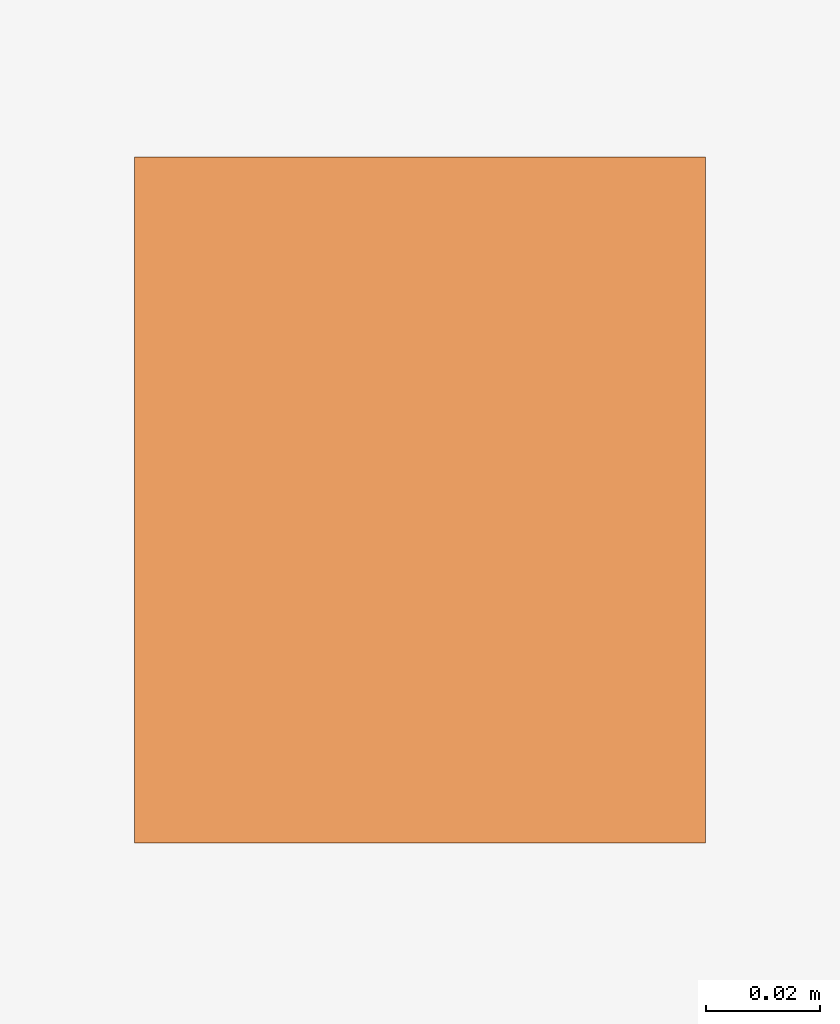
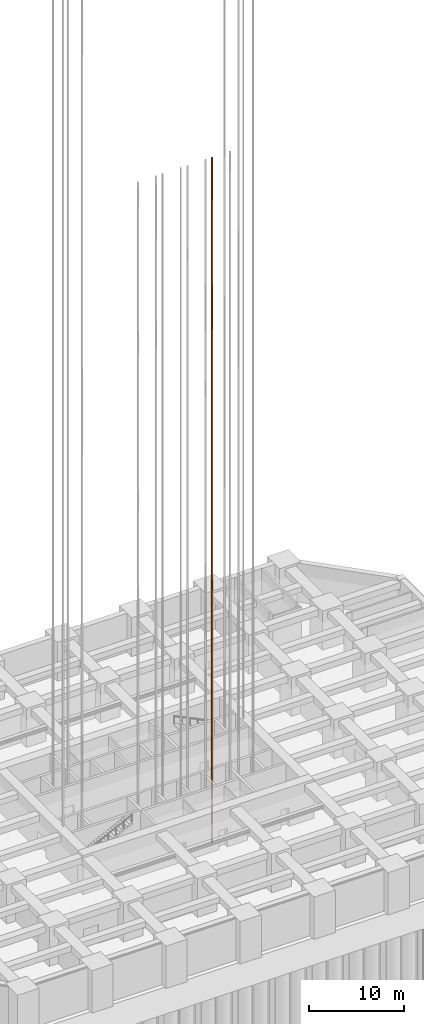
# One storey, part 18 of 24: 1 proxy.
"""IFC4 building model written with IfcOpenShell, lengths in metres."""

from ifc_helpers import new_model, si_unit, direction, frame, origin, origin_2d, place, context, subcontext, project, spatial, rectangle, extrude, element, save


model = new_model("IFC4")

# Units and contexts
model_context = context("Model", 3, precision=1e-05, world=origin(), true_north=direction((0.0, 1.0)))
body_context = subcontext(model_context, "Body", "Model", "MODEL_VIEW")
ifc_project = project(units=[si_unit("LENGTHUNIT", "METRE"), si_unit("AREAUNIT", "SQUARE_METRE"), si_unit("VOLUMEUNIT", "CUBIC_METRE"), si_unit("PLANEANGLEUNIT", "RADIAN"), si_unit("MASSUNIT", "GRAM", prefix="KILO")], contexts=[model_context])

# Site, building, storey
site_placement = place(None, origin())
site = spatial("IfcSite", under=ifc_project, at=site_placement, CompositionType="ELEMENT")
building_placement = place(site_placement, origin())
building = spatial("IfcBuilding", under=site, at=building_placement, Name="Zorevar Civic Tower", CompositionType="ELEMENT")
storey_placement = place(building_placement, frame((0.0, 0.0, -5.0)))
storey = spatial("IfcBuildingStorey", under=building, at=storey_placement, Name="B1", CompositionType="ELEMENT", Elevation=-5.0)

# Proxy
proxy_placement = place(storey_placement, frame((36.39990234375, 23.10009765625, -3.35009765625), z_axis=(0.0, 0.0, 1.0), x_axis=(1.0, 0.0, 0.0)))
element("IfcBuildingElementProxy", 1, at=proxy_placement, inside=storey, Name="Passenger lift LP4 guide rail 1", PredefinedType="NOTDEFINED", context=body_context, shape_type="SweptSolid", body=[
    extrude(rectangle(XDim=0.10009765625, YDim=0.1201171875, at=origin_2d()), origin(), (0.0, 0.0, 1.0), 88.0),
])

save(model, "model.ifc")
